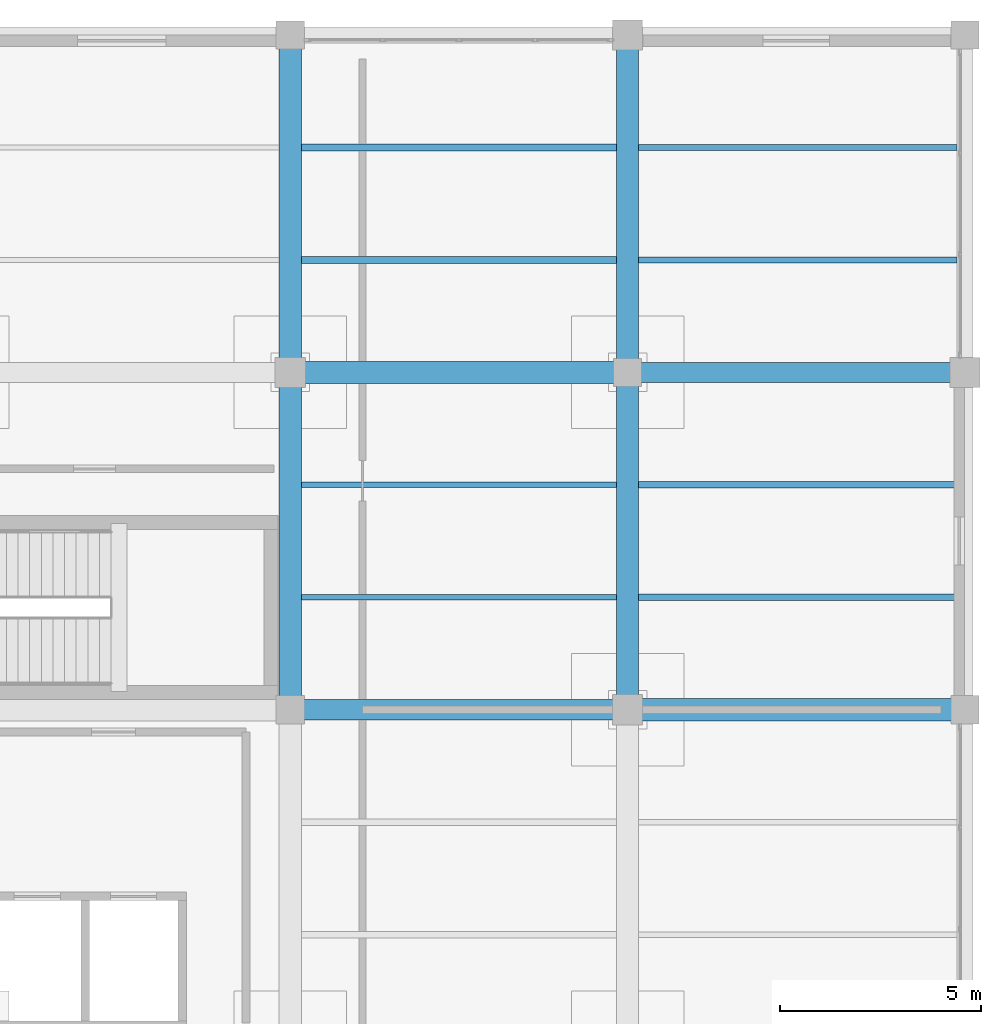
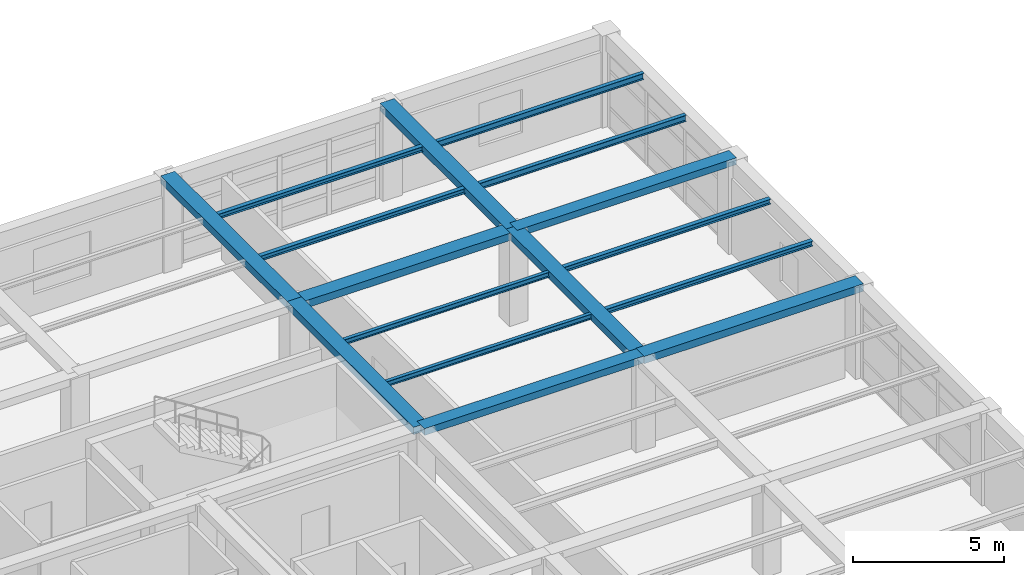
# One storey, part 17 of 31: 16 beams.
"""IFC4 building model written with IfcOpenShell, lengths in metres."""

from ifc_helpers import new_model, si_unit, direction, frame, origin, origin_2d, place, context, subcontext, project, spatial, rectangle, i_section, extrude, material, material_profile, profile_set, type_object, element, save


model = new_model("IFC4")

# Units and contexts
model_context = context("Model", 3, precision=1e-05, world=origin(), true_north=direction((0.0, 1.0)))
body_context = subcontext(model_context, "Body", "Model", "MODEL_VIEW")
ifc_project = project(units=[si_unit("LENGTHUNIT", "METRE"), si_unit("AREAUNIT", "SQUARE_METRE"), si_unit("VOLUMEUNIT", "CUBIC_METRE"), si_unit("PLANEANGLEUNIT", "RADIAN"), si_unit("MASSUNIT", "GRAM", prefix="KILO")], contexts=[model_context])

# Site, building, storey
site_placement = place(None, origin())
site = spatial("IfcSite", under=ifc_project, at=site_placement, CompositionType="ELEMENT")
building_placement = place(site_placement, origin())
building = spatial("IfcBuilding", under=site, at=building_placement, Name="Almacenes y Pasaje Nevantli", CompositionType="ELEMENT")
storey_placement = place(building_placement, frame((0.0, 0.0, 34.699951171875)))
storey = spatial("IfcBuildingStorey", under=building, at=storey_placement, Name="L08", CompositionType="ELEMENT", Elevation=34.699951171875)

# Beams
ifc_material_1 = material(Name="Concrete C35/45", Category="concrete")
ifc_material_profile_1 = material_profile(ifc_material_1, rectangle(XDim=0.5, YDim=0.280029296875, at=origin_2d()), Name="RC-BM-500x280")
ifc_profile_set_1 = profile_set([ifc_material_profile_1], Name="Concrete C35/45")
beam_type_1 = type_object("IfcBeamType", Name="BM-RC-500x280", PredefinedType="BEAM", material=ifc_profile_set_1)
beam_1_placement = place(storey_placement, frame((142.800048828125, 84.0, 3.580078125), z_axis=(1.0, 0.0, 0.0), x_axis=(0.0, 1.0, 0.0)))
element("IfcBeam", 1, at=beam_1_placement, inside=storey, type_object=beam_type_1, Name="L08 East-West Reinforced Concrete Beam #3701", PredefinedType="BEAM", context=body_context, shape_type="SweptSolid", body=[
    extrude(rectangle(XDim=0.5, YDim=0.280029296875, at=origin_2d()), origin(), (0.0, 0.0, 1.0), 8.39990234375),
])
beam_2_placement = place(storey_placement, frame((151.199951171875, 92.39990234375, 3.580078125), z_axis=(1.0, 0.0, 0.0), x_axis=(0.0, 1.0, 0.0)))
element("IfcBeam", 2, at=beam_2_placement, inside=storey, type_object=beam_type_1, Name="L08 East-West Reinforced Concrete Beam #3708", PredefinedType="BEAM", context=body_context, shape_type="SweptSolid", body=[
    extrude(rectangle(XDim=0.5, YDim=0.280029296875, at=origin_2d()), origin(), (0.0, 0.0, 1.0), 8.400146484375),
])
ifc_material_2 = material(Name="Concrete C35/45", Category="concrete")
ifc_material_profile_2 = material_profile(ifc_material_2, rectangle(XDim=0.550048828125, YDim=0.300048828125, at=origin_2d()), Name="RC-BM-550x300")
ifc_profile_set_2 = profile_set([ifc_material_profile_2], Name="Concrete C35/45")
beam_type_2 = type_object("IfcBeamType", Name="BM-RC-550x300", PredefinedType="BEAM", material=ifc_profile_set_2)
beam_3_placement = place(storey_placement, frame((151.199951171875, 84.0, 3.570068359375), z_axis=(1.0, 0.0, 0.0), x_axis=(0.0, 1.0, 0.0)))
element("IfcBeam", 3, at=beam_3_placement, inside=storey, type_object=beam_type_2, Name="L08 East-West Reinforced Concrete Beam #3702", PredefinedType="BEAM", context=body_context, shape_type="SweptSolid", body=[
    extrude(rectangle(XDim=0.550048828125, YDim=0.300048828125, at=origin_2d()), origin(), (0.0, 0.0, 1.0), 8.400146484375),
])
for number, where, z_axis, x_axis, name in (
    (4, (142.800048828125, 92.39990234375, 3.570068359375), (1.0, 0.0, 0.0), (0.0, 1.0, 0.0), "L08 East-West Reinforced Concrete Beam #3707"),
    (5, (142.800048828125, 84.0, 3.570068359375), (0.0, 1.0, 0.0), (-1.0, 0.0, 0.0), "L08 North-South Reinforced Concrete Beam #3731"),
):
    element("IfcBeam", number, at=place(storey_placement, frame(where, z_axis=z_axis, x_axis=x_axis)), inside=storey, type_object=beam_type_2, Name=name, PredefinedType="BEAM", context=body_context, shape_type="SweptSolid", body=[
        extrude(rectangle(XDim=0.550048828125, YDim=0.300048828125, at=origin_2d()), origin(), (0.0, 0.0, 1.0), 8.39990234375),
    ])
beam_4_placement = place(storey_placement, frame((142.800048828125, 92.39990234375, 3.570068359375), z_axis=(0.0, 1.0, 0.0), x_axis=(-1.0, 0.0, 0.0)))
element("IfcBeam", 6, at=beam_4_placement, inside=storey, type_object=beam_type_2, Name="L08 North-South Reinforced Concrete Beam #3732", PredefinedType="BEAM", context=body_context, shape_type="SweptSolid", body=[
    extrude(rectangle(XDim=0.550048828125, YDim=0.300048828125, at=origin_2d()), origin(), (0.0, 0.0, 1.0), 8.400146484375),
])
beam_5_placement = place(storey_placement, frame((151.199951171875, 84.0, 3.570068359375), z_axis=(0.0, 1.0, 0.0), x_axis=(-1.0, 0.0, 0.0)))
element("IfcBeam", 7, at=beam_5_placement, inside=storey, type_object=beam_type_2, Name="L08 North-South Reinforced Concrete Beam #3735", PredefinedType="BEAM", context=body_context, shape_type="SweptSolid", body=[
    extrude(rectangle(XDim=0.550048828125, YDim=0.300048828125, at=origin_2d()), origin(), (0.0, 0.0, 1.0), 8.39990234375),
])
beam_6_placement = place(storey_placement, frame((151.199951171875, 92.39990234375, 3.570068359375), z_axis=(0.0, 1.0, 0.0), x_axis=(-1.0, 0.0, 0.0)))
element("IfcBeam", 8, at=beam_6_placement, inside=storey, type_object=beam_type_2, Name="L08 North-South Reinforced Concrete Beam #3736", PredefinedType="BEAM", context=body_context, shape_type="SweptSolid", body=[
    extrude(rectangle(XDim=0.550048828125, YDim=0.300048828125, at=origin_2d()), origin(), (0.0, 0.0, 1.0), 8.400146484375),
])
ifc_material_3 = material(Name="Steel ASTM A992", Category="steel")
ifc_material_profile_3 = material_profile(ifc_material_3, i_section(OverallWidth=0.134033203125, OverallDepth=0.2099609375, WebThickness=0.00634765625, FlangeThickness=0.01025390625, at=origin_2d()), Name="IR 203x31.3")
ifc_profile_set_3 = profile_set([ifc_material_profile_3], Name="Steel ASTM A992")
beam_type_3 = type_object("IfcBeamType", Name="BM-STL-IR-203x31p3", PredefinedType="JOIST", material=ifc_profile_set_3)
for number, where, z_axis, x_axis, name in (
    (9, (143.074951171875, 86.800048828125, 3.60693359375), (1.0, 0.0, 0.0), (0.0, 1.0, 0.0), "L08 Secondary Steel Floor Joist #1443"),
    (10, (143.074951171875, 89.60009765625, 3.60693359375), (1.0, 0.0, 0.0), (0.0, 1.0, 0.0), "L08 Secondary Steel Floor Joist #1444"),
):
    element("IfcBeam", number, at=place(storey_placement, frame(where, z_axis=z_axis, x_axis=x_axis)), inside=storey, type_object=beam_type_3, Name=name, PredefinedType="JOIST", context=body_context, shape_type="SweptSolid", body=[
        extrude(i_section(OverallWidth=0.134033203125, OverallDepth=0.2099609375, WebThickness=0.00634765625, FlangeThickness=0.01025390625, at=origin_2d()), origin(), (0.0, 0.0, 1.0), 7.85009765625),
    ])
ifc_material_4 = material(Name="Steel ASTM A992", Category="steel")
ifc_material_profile_4 = material_profile(ifc_material_4, i_section(OverallWidth=0.166015625, OverallDepth=0.205078125, WebThickness=0.007080078125, FlangeThickness=0.01171875, at=origin_2d()), Name="IR 203x41.7")
ifc_profile_set_4 = profile_set([ifc_material_profile_4], Name="Steel ASTM A992")
beam_type_4 = type_object("IfcBeamType", Name="BM-STL-IR-203x41p7", PredefinedType="JOIST", material=ifc_profile_set_4)
for number, where, z_axis, x_axis, name in (
    (11, (143.074951171875, 95.199951171875, 3.609619140625), (1.0, 0.0, 0.0), (0.0, 1.0, 0.0), "L08 Secondary Steel Floor Joist #1445"),
    (12, (143.074951171875, 98.0, 3.609619140625), (1.0, 0.0, 0.0), (0.0, 1.0, 0.0), "L08 Secondary Steel Floor Joist #1446"),
):
    element("IfcBeam", number, at=place(storey_placement, frame(where, z_axis=z_axis, x_axis=x_axis)), inside=storey, type_object=beam_type_4, Name=name, PredefinedType="JOIST", context=body_context, shape_type="SweptSolid", body=[
        extrude(i_section(OverallWidth=0.166015625, OverallDepth=0.205078125, WebThickness=0.007080078125, FlangeThickness=0.01171875, at=origin_2d()), origin(), (0.0, 0.0, 1.0), 7.85009765625),
    ])
for number, where, z_axis, x_axis, name in (
    (13, (151.47509765625, 86.800048828125, 3.609619140625), (1.0, 0.0, 0.0), (0.0, 1.0, 0.0), "L08 Secondary Steel Floor Joist #1451"),
    (14, (151.47509765625, 89.60009765625, 3.609619140625), (1.0, 0.0, 0.0), (0.0, 1.0, 0.0), "L08 Secondary Steel Floor Joist #1452"),
):
    element("IfcBeam", number, at=place(storey_placement, frame(where, z_axis=z_axis, x_axis=x_axis)), inside=storey, type_object=beam_type_4, Name=name, PredefinedType="JOIST", context=body_context, shape_type="SweptSolid", body=[
        extrude(i_section(OverallWidth=0.166015625, OverallDepth=0.205078125, WebThickness=0.007080078125, FlangeThickness=0.01171875, at=origin_2d()), origin(), (0.0, 0.0, 1.0), 7.9248046875),
    ])
ifc_material_5 = material(Name="Steel ASTM A992", Category="steel")
ifc_material_profile_5 = material_profile(ifc_material_5, i_section(OverallWidth=0.14697265625, OverallDepth=0.257080078125, WebThickness=0.006591796875, FlangeThickness=0.01123046875, at=origin_2d()), Name="IR 254x38.7")
ifc_profile_set_5 = profile_set([ifc_material_profile_5], Name="Steel ASTM A992")
beam_type_5 = type_object("IfcBeamType", Name="BM-STL-IR-254x38p7", PredefinedType="JOIST", material=ifc_profile_set_5)
for number, where, z_axis, x_axis, name in (
    (15, (151.47509765625, 95.199951171875, 3.58349609375), (1.0, 0.0, 0.0), (0.0, 1.0, 0.0), "L08 Secondary Steel Floor Joist #1453"),
    (16, (151.47509765625, 98.0, 3.58349609375), (1.0, 0.0, 0.0), (0.0, 1.0, 0.0), "L08 Secondary Steel Floor Joist #1454"),
):
    element("IfcBeam", number, at=place(storey_placement, frame(where, z_axis=z_axis, x_axis=x_axis)), inside=storey, type_object=beam_type_5, Name=name, PredefinedType="JOIST", context=body_context, shape_type="SweptSolid", body=[
        extrude(i_section(OverallWidth=0.14697265625, OverallDepth=0.257080078125, WebThickness=0.006591796875, FlangeThickness=0.01123046875, at=origin_2d()), origin(), (0.0, 0.0, 1.0), 7.9248046875),
    ])

save(model, "model.ifc")
